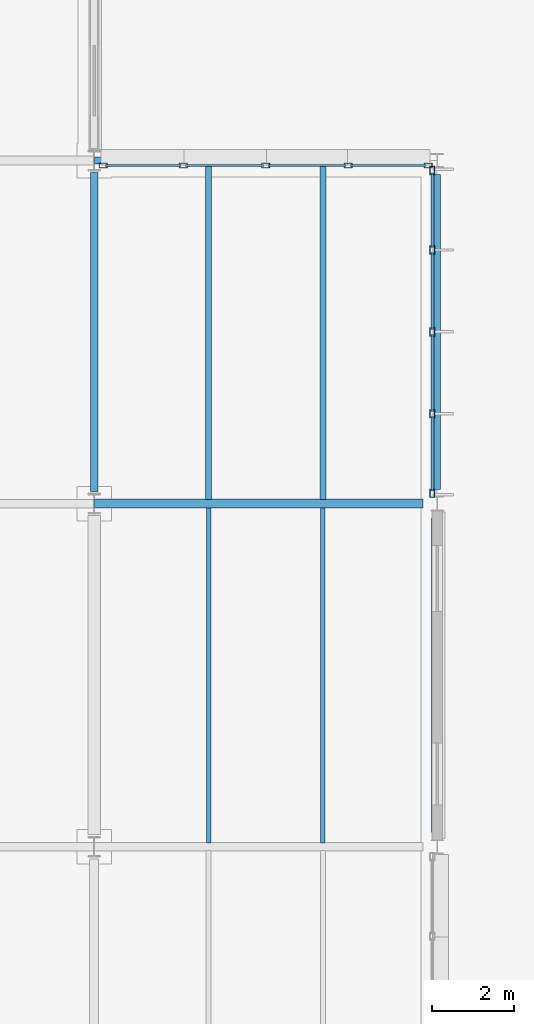
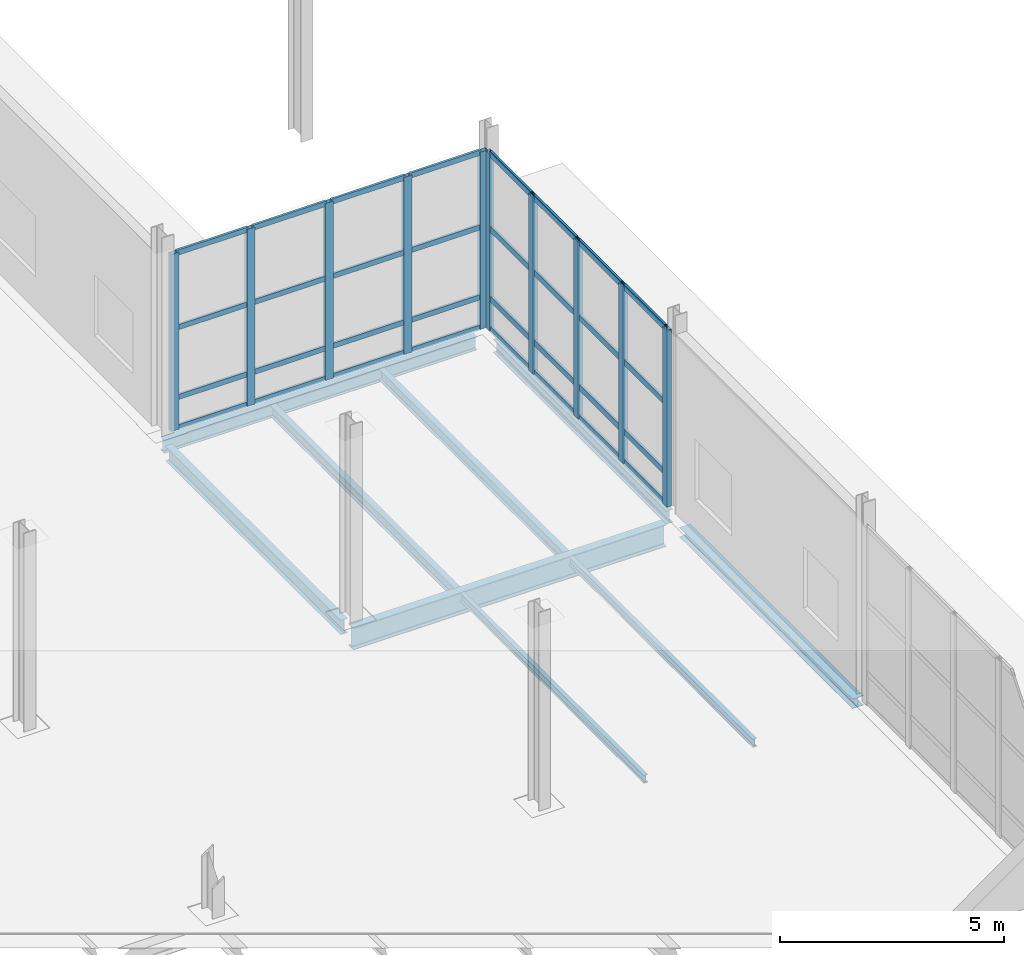
# One storey, part 62 of 124: 42 members, 9 beams, 2 elements without a shape of their own.
"""IFC4 building model written with IfcOpenShell, lengths in metres."""

from ifc_helpers import new_model, si_unit, direction, frame, origin, origin_2d, place, context, subcontext, project, spatial, hollow_rectangle, i_section, extrude, material, material_profile, profile_set, type_object, element, aggregate, save


model = new_model("IFC4")

# Units and contexts
model_context = context("Model", 3, precision=1e-05, world=origin(), true_north=direction((0.0, 1.0)))
body_context = subcontext(model_context, "Body", "Model", "MODEL_VIEW")
ifc_project = project(units=[si_unit("LENGTHUNIT", "METRE"), si_unit("AREAUNIT", "SQUARE_METRE"), si_unit("VOLUMEUNIT", "CUBIC_METRE"), si_unit("PLANEANGLEUNIT", "RADIAN"), si_unit("MASSUNIT", "GRAM", prefix="KILO")], contexts=[model_context])

# Site, building, storey
site_placement = place(None, origin())
site = spatial("IfcSite", under=ifc_project, at=site_placement, CompositionType="ELEMENT")
building_placement = place(site_placement, origin())
building = spatial("IfcBuilding", under=site, at=building_placement, Name="Mersafa Astral City Hall", CompositionType="ELEMENT")
storey_placement = place(building_placement, origin())
storey = spatial("IfcBuildingStorey", under=building, at=storey_placement, Name="L00", CompositionType="ELEMENT", Elevation=0.0)

# Curtain wall, members
ifc_material_1 = material(Name="Anodised bronze aluminium framing", Category="aluminium")
curtain_wall_type_1 = type_object("IfcCurtainWallType", Name="ENV-CW-5", PredefinedType="USERDEFINED", material=ifc_material_1)
curtain_wall_1_placement = place(storey_placement, origin())
curtain_wall_1 = element("IfcCurtainWall", 1, at=curtain_wall_1_placement, inside=storey, type_object=curtain_wall_type_1, Name="L00 Unitised solar curtain wall 28", ObjectType="UNITISED CURTAIN WALL", PredefinedType="USERDEFINED")
ifc_material_profile_1 = material_profile(ifc_material_1, hollow_rectangle(XDim=0.1201171875, YDim=0.199951171875, WallThickness=0.008056640625, at=origin_2d()), Name="RHS 120x200x8")
ifc_profile_set_1 = profile_set([ifc_material_profile_1], Name="Anodised bronze aluminium framing")
member_type_1 = type_object("IfcMemberType", Name="ENV-CW-MUL-2", PredefinedType="MULLION", material=ifc_profile_set_1)
member_1_placement = place(storey_placement, frame((184.679931640625, 84.251953125, -0.001953125), z_axis=(0.0, 0.0, 1.0), x_axis=(-1.0, 0.0, 0.0)))
member_1 = element("IfcMember", 2, at=member_1_placement, type_object=member_type_1, Name="CW-5 mullion 1", PredefinedType="MULLION", context=body_context, shape_type="SweptSolid", body=[
    extrude(hollow_rectangle(XDim=0.1201171875, YDim=0.199951171875, WallThickness=0.008056640625, at=origin_2d()), origin(), (0.0, 0.0, 1.0), 4.81396484375),
])
member_2_placement = place(storey_placement, frame((184.679931640625, 86.198486328125, -0.001953125), z_axis=(0.0, 0.0, 1.0), x_axis=(-1.0, 0.0, 0.0)))
member_2 = element("IfcMember", 3, at=member_2_placement, type_object=member_type_1, Name="CW-5 mullion 2", PredefinedType="MULLION", context=body_context, shape_type="SweptSolid", body=[
    extrude(hollow_rectangle(XDim=0.1201171875, YDim=0.199951171875, WallThickness=0.008056640625, at=origin_2d()), origin(), (0.0, 0.0, 1.0), 4.81396484375),
])
member_3_placement = place(storey_placement, frame((184.679931640625, 88.205078125, -0.001953125), z_axis=(0.0, 0.0, 1.0), x_axis=(-1.0, 0.0, 0.0)))
member_3 = element("IfcMember", 4, at=member_3_placement, type_object=member_type_1, Name="CW-5 mullion 3", PredefinedType="MULLION", context=body_context, shape_type="SweptSolid", body=[
    extrude(hollow_rectangle(XDim=0.1201171875, YDim=0.199951171875, WallThickness=0.008056640625, at=origin_2d()), origin(), (0.0, 0.0, 1.0), 4.81396484375),
])
member_4_placement = place(storey_placement, frame((184.679931640625, 90.21142578125, -0.001953125), z_axis=(0.0, 0.0, 1.0), x_axis=(-1.0, 0.0, 0.0)))
member_4 = element("IfcMember", 5, at=member_4_placement, type_object=member_type_1, Name="CW-5 mullion 4", PredefinedType="MULLION", context=body_context, shape_type="SweptSolid", body=[
    extrude(hollow_rectangle(XDim=0.1201171875, YDim=0.199951171875, WallThickness=0.008056640625, at=origin_2d()), origin(), (0.0, 0.0, 1.0), 4.81396484375),
])
member_5_placement = place(storey_placement, frame((184.679931640625, 92.157958984375, -0.001953125), z_axis=(0.0, 0.0, 1.0), x_axis=(-1.0, 0.0, 0.0)))
member_5 = element("IfcMember", 6, at=member_5_placement, type_object=member_type_1, Name="CW-5 mullion 5", PredefinedType="MULLION", context=body_context, shape_type="SweptSolid", body=[
    extrude(hollow_rectangle(XDim=0.1201171875, YDim=0.199951171875, WallThickness=0.008056640625, at=origin_2d()), origin(), (0.0, 0.0, 1.0), 4.81396484375),
])

curtain_wall_type_2 = type_object("IfcCurtainWallType", Name="ENV-CW-6", PredefinedType="USERDEFINED", material=ifc_material_1)
curtain_wall_2_placement = place(storey_placement, origin())
curtain_wall_2 = element("IfcCurtainWall", 7, at=curtain_wall_2_placement, inside=storey, type_object=curtain_wall_type_2, Name="L00 Unitised solar curtain wall 29", ObjectType="UNITISED CURTAIN WALL", PredefinedType="USERDEFINED")
member_6_placement = place(storey_placement, frame((184.577880859375, 92.280029296875, -0.001953125), z_axis=(0.0, 0.0, 1.0), x_axis=(0.0, -1.0, 0.0)))
member_6 = element("IfcMember", 8, at=member_6_placement, type_object=member_type_1, Name="CW-6 mullion 1", PredefinedType="MULLION", context=body_context, shape_type="SweptSolid", body=[
    extrude(hollow_rectangle(XDim=0.1201171875, YDim=0.199951171875, WallThickness=0.008056640625, at=origin_2d()), origin(), (0.0, 0.0, 1.0), 4.81396484375),
])
member_7_placement = place(storey_placement, frame((182.618896484375, 92.280029296875, -0.001953125), z_axis=(0.0, 0.0, 1.0), x_axis=(0.0, -1.0, 0.0)))
member_7 = element("IfcMember", 9, at=member_7_placement, type_object=member_type_1, Name="CW-6 mullion 2", PredefinedType="MULLION", context=body_context, shape_type="SweptSolid", body=[
    extrude(hollow_rectangle(XDim=0.1201171875, YDim=0.199951171875, WallThickness=0.008056640625, at=origin_2d()), origin(), (0.0, 0.0, 1.0), 4.81396484375),
])
member_8_placement = place(storey_placement, frame((180.60009765625, 92.280029296875, -0.001953125), z_axis=(0.0, 0.0, 1.0), x_axis=(0.0, -1.0, 0.0)))
member_8 = element("IfcMember", 10, at=member_8_placement, type_object=member_type_1, Name="CW-6 mullion 3", PredefinedType="MULLION", context=body_context, shape_type="SweptSolid", body=[
    extrude(hollow_rectangle(XDim=0.1201171875, YDim=0.199951171875, WallThickness=0.008056640625, at=origin_2d()), origin(), (0.0, 0.0, 1.0), 4.81396484375),
])
member_9_placement = place(storey_placement, frame((178.5810546875, 92.280029296875, -0.001953125), z_axis=(0.0, 0.0, 1.0), x_axis=(0.0, -1.0, 0.0)))
member_9 = element("IfcMember", 11, at=member_9_placement, type_object=member_type_1, Name="CW-6 mullion 4", PredefinedType="MULLION", context=body_context, shape_type="SweptSolid", body=[
    extrude(hollow_rectangle(XDim=0.1201171875, YDim=0.199951171875, WallThickness=0.008056640625, at=origin_2d()), origin(), (0.0, 0.0, 1.0), 4.81396484375),
])
member_10_placement = place(storey_placement, frame((176.6220703125, 92.280029296875, -0.001953125), z_axis=(0.0, 0.0, 1.0), x_axis=(0.0, -1.0, 0.0)))
member_10 = element("IfcMember", 12, at=member_10_placement, type_object=member_type_1, Name="CW-6 mullion 5", PredefinedType="MULLION", context=body_context, shape_type="SweptSolid", body=[
    extrude(hollow_rectangle(XDim=0.1201171875, YDim=0.199951171875, WallThickness=0.008056640625, at=origin_2d()), origin(), (0.0, 0.0, 1.0), 4.81396484375),
])
ifc_material_profile_2 = material_profile(ifc_material_1, hollow_rectangle(XDim=0.06005859375, YDim=0.139892578125, WallThickness=0.00390625, at=origin_2d()), Name="RHS 60x140x4")
ifc_profile_set_2 = profile_set([ifc_material_profile_2], Name="Anodised bronze aluminium framing")
member_type_2 = type_object("IfcMemberType", Name="ENV-CW-TRN-1", PredefinedType="USERDEFINED", material=ifc_profile_set_2)
member_11_placement = place(storey_placement, frame((184.51806640625, 92.280029296875, 0.028076171875), z_axis=(-1.0, 0.0, 0.0), x_axis=(0.0, -1.0, 0.0)))
member_11 = element("IfcMember", 13, at=member_11_placement, type_object=member_type_2, Name="CW-6 transom 1.1", ObjectType="TRANSOM", PredefinedType="USERDEFINED", context=body_context, shape_type="SweptSolid", body=[
    extrude(hollow_rectangle(XDim=0.06005859375, YDim=0.139892578125, WallThickness=0.00390625, at=origin_2d()), origin(), (0.0, 0.0, 1.0), 1.839111328125),
])
member_12_placement = place(storey_placement, frame((184.51806640625, 92.280029296875, 0.85009765625), z_axis=(-1.0, 0.0, 0.0), x_axis=(0.0, -1.0, 0.0)))
member_12 = element("IfcMember", 14, at=member_12_placement, type_object=member_type_2, Name="CW-6 transom 1.2", ObjectType="TRANSOM", PredefinedType="USERDEFINED", context=body_context, shape_type="SweptSolid", body=[
    extrude(hollow_rectangle(XDim=0.06005859375, YDim=0.139892578125, WallThickness=0.00390625, at=origin_2d()), origin(), (0.0, 0.0, 1.0), 1.839111328125),
])
member_13_placement = place(storey_placement, frame((184.51806640625, 92.280029296875, 2.75), z_axis=(-1.0, 0.0, 0.0), x_axis=(0.0, -1.0, 0.0)))
member_13 = element("IfcMember", 15, at=member_13_placement, type_object=member_type_2, Name="CW-6 transom 1.3", ObjectType="TRANSOM", PredefinedType="USERDEFINED", context=body_context, shape_type="SweptSolid", body=[
    extrude(hollow_rectangle(XDim=0.06005859375, YDim=0.139892578125, WallThickness=0.00390625, at=origin_2d()), origin(), (0.0, 0.0, 1.0), 1.839111328125),
])
member_14_placement = place(storey_placement, frame((184.51806640625, 92.280029296875, 4.781982421875), z_axis=(-1.0, 0.0, 0.0), x_axis=(0.0, -1.0, 0.0)))
member_14 = element("IfcMember", 16, at=member_14_placement, type_object=member_type_2, Name="CW-6 transom 1.4", ObjectType="TRANSOM", PredefinedType="USERDEFINED", context=body_context, shape_type="SweptSolid", body=[
    extrude(hollow_rectangle(XDim=0.06005859375, YDim=0.139892578125, WallThickness=0.00390625, at=origin_2d()), origin(), (0.0, 0.0, 1.0), 1.839111328125),
])
member_15_placement = place(storey_placement, frame((182.55908203125, 92.280029296875, 0.028076171875), z_axis=(-1.0, 0.0, 0.0), x_axis=(0.0, -1.0, 0.0)))
member_15 = element("IfcMember", 17, at=member_15_placement, type_object=member_type_2, Name="CW-6 transom 2.1", ObjectType="TRANSOM", PredefinedType="USERDEFINED", context=body_context, shape_type="SweptSolid", body=[
    extrude(hollow_rectangle(XDim=0.06005859375, YDim=0.139892578125, WallThickness=0.00390625, at=origin_2d()), origin(), (0.0, 0.0, 1.0), 1.899169921875),
])
member_16_placement = place(storey_placement, frame((182.55908203125, 92.280029296875, 0.85009765625), z_axis=(-1.0, 0.0, 0.0), x_axis=(0.0, -1.0, 0.0)))
member_16 = element("IfcMember", 18, at=member_16_placement, type_object=member_type_2, Name="CW-6 transom 2.2", ObjectType="TRANSOM", PredefinedType="USERDEFINED", context=body_context, shape_type="SweptSolid", body=[
    extrude(hollow_rectangle(XDim=0.06005859375, YDim=0.139892578125, WallThickness=0.00390625, at=origin_2d()), origin(), (0.0, 0.0, 1.0), 1.899169921875),
])
member_17_placement = place(storey_placement, frame((182.55908203125, 92.280029296875, 2.75), z_axis=(-1.0, 0.0, 0.0), x_axis=(0.0, -1.0, 0.0)))
member_17 = element("IfcMember", 19, at=member_17_placement, type_object=member_type_2, Name="CW-6 transom 2.3", ObjectType="TRANSOM", PredefinedType="USERDEFINED", context=body_context, shape_type="SweptSolid", body=[
    extrude(hollow_rectangle(XDim=0.06005859375, YDim=0.139892578125, WallThickness=0.00390625, at=origin_2d()), origin(), (0.0, 0.0, 1.0), 1.899169921875),
])
member_18_placement = place(storey_placement, frame((182.55908203125, 92.280029296875, 4.781982421875), z_axis=(-1.0, 0.0, 0.0), x_axis=(0.0, -1.0, 0.0)))
member_18 = element("IfcMember", 20, at=member_18_placement, type_object=member_type_2, Name="CW-6 transom 2.4", ObjectType="TRANSOM", PredefinedType="USERDEFINED", context=body_context, shape_type="SweptSolid", body=[
    extrude(hollow_rectangle(XDim=0.06005859375, YDim=0.139892578125, WallThickness=0.00390625, at=origin_2d()), origin(), (0.0, 0.0, 1.0), 1.899169921875),
])
member_19_placement = place(storey_placement, frame((180.5400390625, 92.280029296875, 0.028076171875), z_axis=(-1.0, 0.0, 0.0), x_axis=(0.0, -1.0, 0.0)))
member_19 = element("IfcMember", 21, at=member_19_placement, type_object=member_type_2, Name="CW-6 transom 3.1", ObjectType="TRANSOM", PredefinedType="USERDEFINED", context=body_context, shape_type="SweptSolid", body=[
    extrude(hollow_rectangle(XDim=0.06005859375, YDim=0.139892578125, WallThickness=0.00390625, at=origin_2d()), origin(), (0.0, 0.0, 1.0), 1.89892578125),
])
member_20_placement = place(storey_placement, frame((180.5400390625, 92.280029296875, 0.85009765625), z_axis=(-1.0, 0.0, 0.0), x_axis=(0.0, -1.0, 0.0)))
member_20 = element("IfcMember", 22, at=member_20_placement, type_object=member_type_2, Name="CW-6 transom 3.2", ObjectType="TRANSOM", PredefinedType="USERDEFINED", context=body_context, shape_type="SweptSolid", body=[
    extrude(hollow_rectangle(XDim=0.06005859375, YDim=0.139892578125, WallThickness=0.00390625, at=origin_2d()), origin(), (0.0, 0.0, 1.0), 1.89892578125),
])
member_21_placement = place(storey_placement, frame((180.5400390625, 92.280029296875, 2.75), z_axis=(-1.0, 0.0, 0.0), x_axis=(0.0, -1.0, 0.0)))
member_21 = element("IfcMember", 23, at=member_21_placement, type_object=member_type_2, Name="CW-6 transom 3.3", ObjectType="TRANSOM", PredefinedType="USERDEFINED", context=body_context, shape_type="SweptSolid", body=[
    extrude(hollow_rectangle(XDim=0.06005859375, YDim=0.139892578125, WallThickness=0.00390625, at=origin_2d()), origin(), (0.0, 0.0, 1.0), 1.89892578125),
])
member_22_placement = place(storey_placement, frame((180.5400390625, 92.280029296875, 4.781982421875), z_axis=(-1.0, 0.0, 0.0), x_axis=(0.0, -1.0, 0.0)))
member_22 = element("IfcMember", 24, at=member_22_placement, type_object=member_type_2, Name="CW-6 transom 3.4", ObjectType="TRANSOM", PredefinedType="USERDEFINED", context=body_context, shape_type="SweptSolid", body=[
    extrude(hollow_rectangle(XDim=0.06005859375, YDim=0.139892578125, WallThickness=0.00390625, at=origin_2d()), origin(), (0.0, 0.0, 1.0), 1.89892578125),
])
member_23_placement = place(storey_placement, frame((178.52099609375, 92.280029296875, 0.028076171875), z_axis=(-1.0, 0.0, 0.0), x_axis=(0.0, -1.0, 0.0)))
member_23 = element("IfcMember", 25, at=member_23_placement, type_object=member_type_2, Name="CW-6 transom 4.1", ObjectType="TRANSOM", PredefinedType="USERDEFINED", context=body_context, shape_type="SweptSolid", body=[
    extrude(hollow_rectangle(XDim=0.06005859375, YDim=0.139892578125, WallThickness=0.00390625, at=origin_2d()), origin(), (0.0, 0.0, 1.0), 1.839111328125),
])
member_24_placement = place(storey_placement, frame((178.52099609375, 92.280029296875, 0.85009765625), z_axis=(-1.0, 0.0, 0.0), x_axis=(0.0, -1.0, 0.0)))
member_24 = element("IfcMember", 26, at=member_24_placement, type_object=member_type_2, Name="CW-6 transom 4.2", ObjectType="TRANSOM", PredefinedType="USERDEFINED", context=body_context, shape_type="SweptSolid", body=[
    extrude(hollow_rectangle(XDim=0.06005859375, YDim=0.139892578125, WallThickness=0.00390625, at=origin_2d()), origin(), (0.0, 0.0, 1.0), 1.839111328125),
])
member_25_placement = place(storey_placement, frame((178.52099609375, 92.280029296875, 2.75), z_axis=(-1.0, 0.0, 0.0), x_axis=(0.0, -1.0, 0.0)))
member_25 = element("IfcMember", 27, at=member_25_placement, type_object=member_type_2, Name="CW-6 transom 4.3", ObjectType="TRANSOM", PredefinedType="USERDEFINED", context=body_context, shape_type="SweptSolid", body=[
    extrude(hollow_rectangle(XDim=0.06005859375, YDim=0.139892578125, WallThickness=0.00390625, at=origin_2d()), origin(), (0.0, 0.0, 1.0), 1.839111328125),
])
member_26_placement = place(storey_placement, frame((178.52099609375, 92.280029296875, 4.781982421875), z_axis=(-1.0, 0.0, 0.0), x_axis=(0.0, -1.0, 0.0)))
member_26 = element("IfcMember", 28, at=member_26_placement, type_object=member_type_2, Name="CW-6 transom 4.4", ObjectType="TRANSOM", PredefinedType="USERDEFINED", context=body_context, shape_type="SweptSolid", body=[
    extrude(hollow_rectangle(XDim=0.06005859375, YDim=0.139892578125, WallThickness=0.00390625, at=origin_2d()), origin(), (0.0, 0.0, 1.0), 1.839111328125),
])
aggregate(curtain_wall_2, [member_6, member_7, member_8, member_9, member_10, member_11, member_12, member_13, member_14, member_15, member_16, member_17, member_18, member_19, member_20, member_21, member_22, member_23, member_24, member_25, member_26])

# Member
ifc_material_profile_3 = material_profile(ifc_material_1, hollow_rectangle(XDim=0.06005859375, YDim=0.159912109375, WallThickness=0.00390625, at=origin_2d()), Name="RHS 60x160x4")
ifc_profile_set_3 = profile_set([ifc_material_profile_3], Name="Anodised bronze aluminium framing")
member_type_3 = type_object("IfcMemberType", Name="ENV-CW-TRN-2", PredefinedType="USERDEFINED", material=ifc_profile_set_3)
member_27_placement = place(storey_placement, frame((184.679931640625, 84.31201171875, 0.028076171875), z_axis=(0.0, 1.0, 0.0), x_axis=(-1.0, 0.0, 0.0)))
member_27 = element("IfcMember", 29, at=member_27_placement, type_object=member_type_3, Name="CW-5 transom 1.1", ObjectType="TRANSOM", PredefinedType="USERDEFINED", context=body_context, shape_type="SweptSolid", body=[
    extrude(hollow_rectangle(XDim=0.06005859375, YDim=0.159912109375, WallThickness=0.00390625, at=origin_2d()), origin(), (0.0, 0.0, 1.0), 1.826416015625),
])

member_28_placement = place(storey_placement, frame((184.679931640625, 84.31201171875, 0.85009765625), z_axis=(0.0, 1.0, 0.0), x_axis=(-1.0, 0.0, 0.0)))
member_28 = element("IfcMember", 30, at=member_28_placement, type_object=member_type_3, Name="CW-5 transom 1.2", ObjectType="TRANSOM", PredefinedType="USERDEFINED", context=body_context, shape_type="SweptSolid", body=[
    extrude(hollow_rectangle(XDim=0.06005859375, YDim=0.159912109375, WallThickness=0.00390625, at=origin_2d()), origin(), (0.0, 0.0, 1.0), 1.826416015625),
])

member_29_placement = place(storey_placement, frame((184.679931640625, 84.31201171875, 2.75), z_axis=(0.0, 1.0, 0.0), x_axis=(-1.0, 0.0, 0.0)))
member_29 = element("IfcMember", 31, at=member_29_placement, type_object=member_type_3, Name="CW-5 transom 1.3", ObjectType="TRANSOM", PredefinedType="USERDEFINED", context=body_context, shape_type="SweptSolid", body=[
    extrude(hollow_rectangle(XDim=0.06005859375, YDim=0.159912109375, WallThickness=0.00390625, at=origin_2d()), origin(), (0.0, 0.0, 1.0), 1.826416015625),
])

member_30_placement = place(storey_placement, frame((184.679931640625, 84.31201171875, 4.781982421875), z_axis=(0.0, 1.0, 0.0), x_axis=(-1.0, 0.0, 0.0)))
member_30 = element("IfcMember", 32, at=member_30_placement, type_object=member_type_3, Name="CW-5 transom 1.4", ObjectType="TRANSOM", PredefinedType="USERDEFINED", context=body_context, shape_type="SweptSolid", body=[
    extrude(hollow_rectangle(XDim=0.06005859375, YDim=0.159912109375, WallThickness=0.00390625, at=origin_2d()), origin(), (0.0, 0.0, 1.0), 1.826416015625),
])

member_31_placement = place(storey_placement, frame((184.679931640625, 86.258544921875, 0.028076171875), z_axis=(0.0, 1.0, 0.0), x_axis=(-1.0, 0.0, 0.0)))
member_31 = element("IfcMember", 33, at=member_31_placement, type_object=member_type_3, Name="CW-5 transom 2.1", ObjectType="TRANSOM", PredefinedType="USERDEFINED", context=body_context, shape_type="SweptSolid", body=[
    extrude(hollow_rectangle(XDim=0.06005859375, YDim=0.159912109375, WallThickness=0.00390625, at=origin_2d()), origin(), (0.0, 0.0, 1.0), 1.886474609375),
])

member_32_placement = place(storey_placement, frame((184.679931640625, 86.258544921875, 0.85009765625), z_axis=(0.0, 1.0, 0.0), x_axis=(-1.0, 0.0, 0.0)))
member_32 = element("IfcMember", 34, at=member_32_placement, type_object=member_type_3, Name="CW-5 transom 2.2", ObjectType="TRANSOM", PredefinedType="USERDEFINED", context=body_context, shape_type="SweptSolid", body=[
    extrude(hollow_rectangle(XDim=0.06005859375, YDim=0.159912109375, WallThickness=0.00390625, at=origin_2d()), origin(), (0.0, 0.0, 1.0), 1.886474609375),
])

member_33_placement = place(storey_placement, frame((184.679931640625, 86.258544921875, 2.75), z_axis=(0.0, 1.0, 0.0), x_axis=(-1.0, 0.0, 0.0)))
member_33 = element("IfcMember", 35, at=member_33_placement, type_object=member_type_3, Name="CW-5 transom 2.3", ObjectType="TRANSOM", PredefinedType="USERDEFINED", context=body_context, shape_type="SweptSolid", body=[
    extrude(hollow_rectangle(XDim=0.06005859375, YDim=0.159912109375, WallThickness=0.00390625, at=origin_2d()), origin(), (0.0, 0.0, 1.0), 1.886474609375),
])

member_34_placement = place(storey_placement, frame((184.679931640625, 86.258544921875, 4.781982421875), z_axis=(0.0, 1.0, 0.0), x_axis=(-1.0, 0.0, 0.0)))
member_34 = element("IfcMember", 36, at=member_34_placement, type_object=member_type_3, Name="CW-5 transom 2.4", ObjectType="TRANSOM", PredefinedType="USERDEFINED", context=body_context, shape_type="SweptSolid", body=[
    extrude(hollow_rectangle(XDim=0.06005859375, YDim=0.159912109375, WallThickness=0.00390625, at=origin_2d()), origin(), (0.0, 0.0, 1.0), 1.886474609375),
])

member_35_placement = place(storey_placement, frame((184.679931640625, 88.264892578125, 0.028076171875), z_axis=(0.0, 1.0, 0.0), x_axis=(-1.0, 0.0, 0.0)))
member_35 = element("IfcMember", 37, at=member_35_placement, type_object=member_type_3, Name="CW-5 transom 3.1", ObjectType="TRANSOM", PredefinedType="USERDEFINED", context=body_context, shape_type="SweptSolid", body=[
    extrude(hollow_rectangle(XDim=0.06005859375, YDim=0.159912109375, WallThickness=0.00390625, at=origin_2d()), origin(), (0.0, 0.0, 1.0), 1.88671875),
])

member_36_placement = place(storey_placement, frame((184.679931640625, 88.264892578125, 0.85009765625), z_axis=(0.0, 1.0, 0.0), x_axis=(-1.0, 0.0, 0.0)))
member_36 = element("IfcMember", 38, at=member_36_placement, type_object=member_type_3, Name="CW-5 transom 3.2", ObjectType="TRANSOM", PredefinedType="USERDEFINED", context=body_context, shape_type="SweptSolid", body=[
    extrude(hollow_rectangle(XDim=0.06005859375, YDim=0.159912109375, WallThickness=0.00390625, at=origin_2d()), origin(), (0.0, 0.0, 1.0), 1.88671875),
])

member_37_placement = place(storey_placement, frame((184.679931640625, 88.264892578125, 2.75), z_axis=(0.0, 1.0, 0.0), x_axis=(-1.0, 0.0, 0.0)))
member_37 = element("IfcMember", 39, at=member_37_placement, type_object=member_type_3, Name="CW-5 transom 3.3", ObjectType="TRANSOM", PredefinedType="USERDEFINED", context=body_context, shape_type="SweptSolid", body=[
    extrude(hollow_rectangle(XDim=0.06005859375, YDim=0.159912109375, WallThickness=0.00390625, at=origin_2d()), origin(), (0.0, 0.0, 1.0), 1.88671875),
])

member_38_placement = place(storey_placement, frame((184.679931640625, 88.264892578125, 4.781982421875), z_axis=(0.0, 1.0, 0.0), x_axis=(-1.0, 0.0, 0.0)))
member_38 = element("IfcMember", 40, at=member_38_placement, type_object=member_type_3, Name="CW-5 transom 3.4", ObjectType="TRANSOM", PredefinedType="USERDEFINED", context=body_context, shape_type="SweptSolid", body=[
    extrude(hollow_rectangle(XDim=0.06005859375, YDim=0.159912109375, WallThickness=0.00390625, at=origin_2d()), origin(), (0.0, 0.0, 1.0), 1.88671875),
])

member_39_placement = place(storey_placement, frame((184.679931640625, 90.271484375, 0.028076171875), z_axis=(0.0, 1.0, 0.0), x_axis=(-1.0, 0.0, 0.0)))
member_39 = element("IfcMember", 41, at=member_39_placement, type_object=member_type_3, Name="CW-5 transom 4.1", ObjectType="TRANSOM", PredefinedType="USERDEFINED", context=body_context, shape_type="SweptSolid", body=[
    extrude(hollow_rectangle(XDim=0.06005859375, YDim=0.159912109375, WallThickness=0.00390625, at=origin_2d()), origin(), (0.0, 0.0, 1.0), 1.826416015625),
])

member_40_placement = place(storey_placement, frame((184.679931640625, 90.271484375, 0.85009765625), z_axis=(0.0, 1.0, 0.0), x_axis=(-1.0, 0.0, 0.0)))
member_40 = element("IfcMember", 42, at=member_40_placement, type_object=member_type_3, Name="CW-5 transom 4.2", ObjectType="TRANSOM", PredefinedType="USERDEFINED", context=body_context, shape_type="SweptSolid", body=[
    extrude(hollow_rectangle(XDim=0.06005859375, YDim=0.159912109375, WallThickness=0.00390625, at=origin_2d()), origin(), (0.0, 0.0, 1.0), 1.826416015625),
])

member_41_placement = place(storey_placement, frame((184.679931640625, 90.271484375, 2.75), z_axis=(0.0, 1.0, 0.0), x_axis=(-1.0, 0.0, 0.0)))
member_41 = element("IfcMember", 43, at=member_41_placement, type_object=member_type_3, Name="CW-5 transom 4.3", ObjectType="TRANSOM", PredefinedType="USERDEFINED", context=body_context, shape_type="SweptSolid", body=[
    extrude(hollow_rectangle(XDim=0.06005859375, YDim=0.159912109375, WallThickness=0.00390625, at=origin_2d()), origin(), (0.0, 0.0, 1.0), 1.826416015625),
])

member_42_placement = place(storey_placement, frame((184.679931640625, 90.271484375, 4.781982421875), z_axis=(0.0, 1.0, 0.0), x_axis=(-1.0, 0.0, 0.0)))
member_42 = element("IfcMember", 44, at=member_42_placement, type_object=member_type_3, Name="CW-5 transom 4.4", ObjectType="TRANSOM", PredefinedType="USERDEFINED", context=body_context, shape_type="SweptSolid", body=[
    extrude(hollow_rectangle(XDim=0.06005859375, YDim=0.159912109375, WallThickness=0.00390625, at=origin_2d()), origin(), (0.0, 0.0, 1.0), 1.826416015625),
])

aggregate(curtain_wall_1, [member_1, member_2, member_3, member_4, member_5, member_27, member_28, member_29, member_30, member_31, member_32, member_33, member_34, member_35, member_36, member_37, member_38, member_39, member_40, member_41, member_42])

# Beams
ifc_material_2 = material(Name="Steel S355", Category="steel")
ifc_material_profile_4 = material_profile(ifc_material_2, i_section(OverallWidth=0.179931640625, OverallDepth=0.39990234375, WebThickness=0.008544921875, FlangeThickness=0.013427734375, FilletRadius=0.02099609375, at=origin_2d()), Name="IPE 400")
ifc_profile_set_4 = profile_set([ifc_material_profile_4], Name="Steel S355")
beam_type_1 = type_object("IfcBeamType", Name="STR-BM-IPE400", PredefinedType="BEAM", material=ifc_profile_set_4)
beam_1_placement = place(storey_placement, frame((176.39990234375, 84.294921875, -0.449951171875), z_axis=(0.0, 1.0, 0.0), x_axis=(-1.0, 0.0, 0.0)))
element("IfcBeam", 45, at=beam_1_placement, inside=storey, type_object=beam_type_1, Name="L00 Primary girder Y 21-10", PredefinedType="BEAM", context=body_context, shape_type="SweptSolid", body=[
    extrude(i_section(OverallWidth=0.179931640625, OverallDepth=0.39990234375, WebThickness=0.008544921875, FlangeThickness=0.013427734375, FilletRadius=0.02099609375, at=origin_2d()), origin(), (0.0, 0.0, 1.0), 7.81005859375),
])
ifc_material_profile_5 = material_profile(ifc_material_2, i_section(OverallWidth=0.219970703125, OverallDepth=0.60009765625, WebThickness=0.011962890625, FlangeThickness=0.01904296875, FilletRadius=0.02392578125, at=origin_2d()), Name="IPE 600")
ifc_profile_set_5 = profile_set([ifc_material_profile_5], Name="Steel S355")
beam_type_2 = type_object("IfcBeamType", Name="STR-BM-IPE600", PredefinedType="BEAM", material=ifc_profile_set_5)
beam_2_placement = place(storey_placement, frame((176.403076171875, 84.0, -0.550048828125), z_axis=(1.0, 0.0, 0.0), x_axis=(0.0, 1.0, 0.0)))
element("IfcBeam", 46, at=beam_2_placement, inside=storey, type_object=beam_type_2, Name="L00 Primary girder X 21-10", PredefinedType="BEAM", context=body_context, shape_type="SweptSolid", body=[
    extrude(i_section(OverallWidth=0.219970703125, OverallDepth=0.60009765625, WebThickness=0.011962890625, FlangeThickness=0.01904296875, FilletRadius=0.02392578125, at=origin_2d()), origin(), (0.0, 0.0, 1.0), 8.052001953125),
])
ifc_material_profile_6 = material_profile(ifc_material_2, i_section(OverallWidth=0.110107421875, OverallDepth=0.219970703125, WebThickness=0.005859375, FlangeThickness=0.00927734375, FilletRadius=0.011962890625, at=origin_2d()), Name="IPE 220")
ifc_profile_set_6 = profile_set([ifc_material_profile_6], Name="Steel S355")
beam_type_3 = type_object("IfcBeamType", Name="STR-BM-JOIST-IPE220", PredefinedType="JOIST", material=ifc_profile_set_6)
for number, where, z_axis, x_axis, name in (
    (47, (179.199951171875, 75.695068359375, -0.360107421875), (0.0, 1.0, 0.0), (-1.0, 0.0, 0.0), "L00 Composite secondary floor joist 219"),
    (48, (182.0, 75.695068359375, -0.360107421875), (0.0, 1.0, 0.0), (-1.0, 0.0, 0.0), "L00 Composite secondary floor joist 220"),
):
    element("IfcBeam", number, at=place(storey_placement, frame(where, z_axis=z_axis, x_axis=x_axis)), inside=storey, type_object=beam_type_3, Name=name, PredefinedType="JOIST", context=body_context, shape_type="SweptSolid", body=[
        extrude(i_section(OverallWidth=0.110107421875, OverallDepth=0.219970703125, WebThickness=0.005859375, FlangeThickness=0.00927734375, FilletRadius=0.011962890625, at=origin_2d()), origin(), (0.0, 0.0, 1.0), 8.199951171875),
    ])
ifc_material_profile_7 = material_profile(ifc_material_2, i_section(OverallWidth=0.14990234375, OverallDepth=0.300048828125, WebThickness=0.007080078125, FlangeThickness=0.0107421875, FilletRadius=0.014892578125, at=origin_2d()), Name="IPE 300")
ifc_profile_set_7 = profile_set([ifc_material_profile_7], Name="Steel S355")
beam_type_4 = type_object("IfcBeamType", Name="STR-BM-JOIST-IPE300", PredefinedType="JOIST", material=ifc_profile_set_7)
for number, where, z_axis, x_axis, name in (
    (49, (179.199951171875, 84.10498046875, -0.39990234375), (0.0, 1.0, 0.0), (-1.0, 0.0, 0.0), "L00 Composite secondary floor joist 221"),
    (50, (182.0, 84.10498046875, -0.39990234375), (0.0, 1.0, 0.0), (-1.0, 0.0, 0.0), "L00 Composite secondary floor joist 222"),
):
    element("IfcBeam", number, at=place(storey_placement, frame(where, z_axis=z_axis, x_axis=x_axis)), inside=storey, type_object=beam_type_4, Name=name, PredefinedType="JOIST", context=body_context, shape_type="SweptSolid", body=[
        extrude(i_section(OverallWidth=0.14990234375, OverallDepth=0.300048828125, WebThickness=0.007080078125, FlangeThickness=0.0107421875, FilletRadius=0.014892578125, at=origin_2d()), origin(), (0.0, 0.0, 1.0), 8.215087890625),
    ])
ifc_material_profile_8 = material_profile(ifc_material_2, i_section(OverallWidth=0.280029296875, OverallDepth=0.27001953125, WebThickness=0.008056640625, FlangeThickness=0.012939453125, FilletRadius=0.02392578125, at=origin_2d()), Name="HEA 280")
ifc_profile_set_8 = profile_set([ifc_material_profile_8], Name="Steel S355")
beam_type_5 = type_object("IfcBeamType", Name="STR-BM-SPANDREL-HEA280", PredefinedType="SPANDREL", material=ifc_profile_set_8)
beam_3_placement = place(storey_placement, frame((184.800048828125, 75.945068359375, -0.385009765625), z_axis=(0.0, 1.0, 0.0), x_axis=(-1.0, 0.0, 0.0)))
element("IfcBeam", 51, at=beam_3_placement, inside=storey, type_object=beam_type_5, Name="L00 Primary girder Y 22-9", PredefinedType="SPANDREL", context=body_context, shape_type="SweptSolid", body=[
    extrude(i_section(OverallWidth=0.280029296875, OverallDepth=0.27001953125, WebThickness=0.008056640625, FlangeThickness=0.012939453125, FilletRadius=0.02392578125, at=origin_2d()), origin(), (0.0, 0.0, 1.0), 7.7099609375),
])
ifc_material_profile_9 = material_profile(ifc_material_2, i_section(OverallWidth=0.169921875, OverallDepth=0.360107421875, WebThickness=0.008056640625, FlangeThickness=0.0126953125, FilletRadius=0.01806640625, at=origin_2d()), Name="IPE 360")
ifc_profile_set_9 = profile_set([ifc_material_profile_9], Name="Steel S355")
beam_type_6 = type_object("IfcBeamType", Name="STR-BM-SPANDREL-IPE360", PredefinedType="SPANDREL", material=ifc_profile_set_9)
beam_4_placement = place(storey_placement, frame((176.403076171875, 92.39990234375, -0.429931640625), z_axis=(1.0, 0.0, 0.0), x_axis=(0.0, 1.0, 0.0)))
element("IfcBeam", 52, at=beam_4_placement, inside=storey, type_object=beam_type_6, Name="L00 Primary girder X 21-11", PredefinedType="SPANDREL", context=body_context, shape_type="SweptSolid", body=[
    extrude(i_section(OverallWidth=0.169921875, OverallDepth=0.360107421875, WebThickness=0.008056640625, FlangeThickness=0.0126953125, FilletRadius=0.01806640625, at=origin_2d()), origin(), (0.0, 0.0, 1.0), 8.052001953125),
])
beam_5_placement = place(storey_placement, frame((184.800048828125, 84.344970703125, -0.429931640625), z_axis=(0.0, 1.0, 0.0), x_axis=(-1.0, 0.0, 0.0)))
element("IfcBeam", 53, at=beam_5_placement, inside=storey, type_object=beam_type_6, Name="L00 Primary girder Y 22-10", PredefinedType="SPANDREL", context=body_context, shape_type="SweptSolid", body=[
    extrude(i_section(OverallWidth=0.169921875, OverallDepth=0.360107421875, WebThickness=0.008056640625, FlangeThickness=0.0126953125, FilletRadius=0.01806640625, at=origin_2d()), origin(), (0.0, 0.0, 1.0), 7.7099609375),
])

save(model, "model.ifc")
